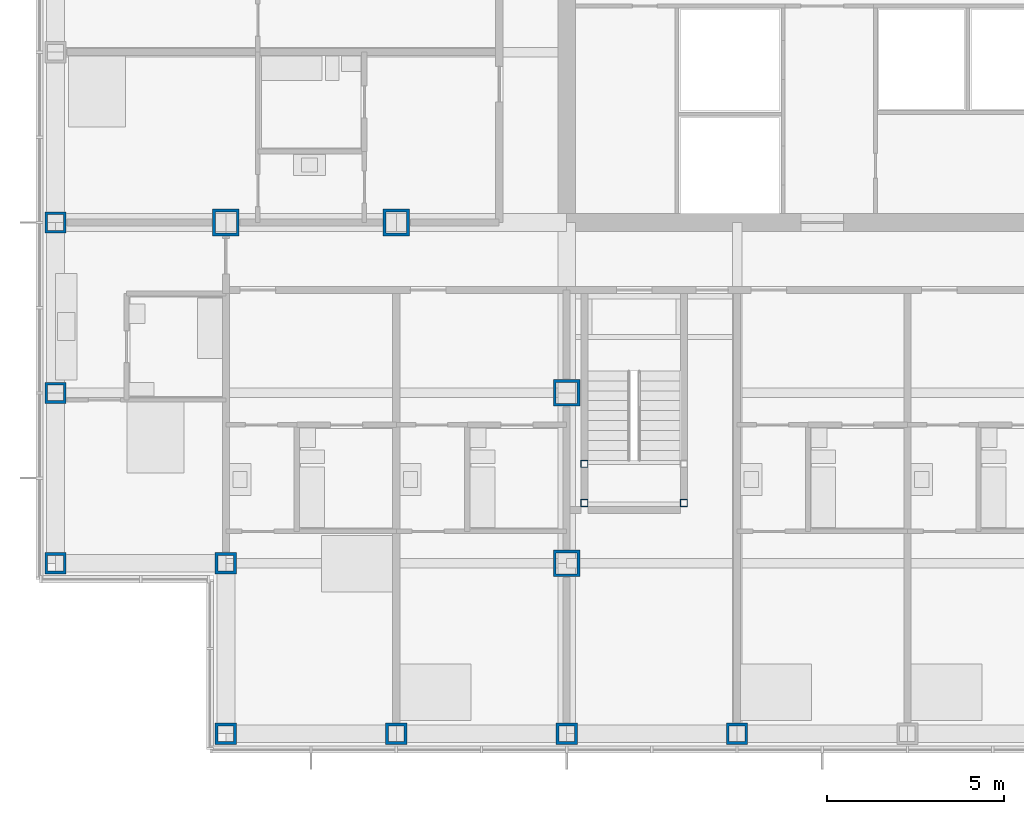
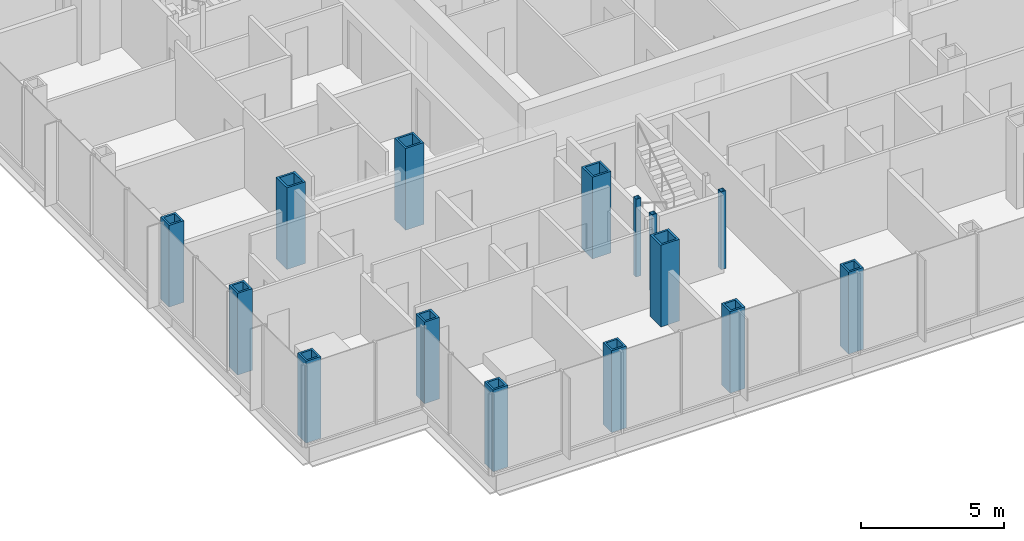
# One storey, part 1 of 22: 15 columns.
"""IFC4 building model written with IfcOpenShell, lengths in metres."""

import ifcopenshell
import ifcopenshell.guid

model = None  # the IFC model being written
_history = None  # IfcOwnerHistory: only IFC2X3 demands one
_inside = {}  # id of a spatial element -> (the spatial element, [elements in it])
_under = {}  # id of a project, library or spatial element -> (it, [spatial elements below it])
_declared = {}  # id of a project -> (the project, [libraries it declares])
_typed = {}  # id of a type object -> (the type object, [elements of that type])
_made_of = {}  # id of a material, layer set ... -> (it, [elements and type objects made of it])


def new_model(schema):
    """Start an empty IFC model of exactly this schema.

    Asked for "IFC4X3", IfcOpenShell would pick the latest addendum, in which some entities
    have other attributes; the version numbers below select the first issue.
    IFC2X3 requires an IfcOwnerHistory on every rooted entity: one is made here for all.
    """
    global model, _history
    if schema == "IFC4X3":
        model = ifcopenshell.file(schema_version=(4, 3, 0, 0))
    else:
        model = ifcopenshell.file(schema=schema)
    _inside.clear()
    _under.clear()
    _declared.clear()
    _typed.clear()
    _made_of.clear()
    _history = None
    if model.schema == "IFC2X3":
        org = make("IfcOrganization", Name="unknown")
        user = make(
            "IfcPersonAndOrganization",
            ThePerson=make("IfcPerson", FamilyName="unknown"),
            TheOrganization=org,
        )
        app = make(
            "IfcApplication",
            ApplicationDeveloper=org,
            Version="unknown",
            ApplicationFullName="unknown",
            ApplicationIdentifier="unknown",
        )
        _history = make(
            "IfcOwnerHistory",
            OwningUser=user,
            OwningApplication=app,
            ChangeAction="ADDED",
            CreationDate=0,
        )
    return model


def make(cls, **values):
    """One entity of the class cls with the attributes given. An attribute that is None is left unset."""
    return model.create_entity(
        cls, **{name: value for name, value in values.items() if value is not None}
    )


def rooted(cls, **values):
    """An entity with a GlobalId (a new one), such as an element, a storey or a relation."""
    return make(cls, GlobalId=ifcopenshell.guid.new(), OwnerHistory=_history, **values)


def si_unit(unit_type, name, prefix=None):
    """IfcSIUnit, for example si_unit("LENGTHUNIT", "METRE", prefix="MILLI")."""
    return make("IfcSIUnit", UnitType=unit_type, Prefix=prefix, Name=name)


def assignment(units):
    """IfcUnitAssignment: the units of a project."""
    return None if units is None else make("IfcUnitAssignment", Units=units)


def point(xyz):
    """IfcCartesianPoint."""
    return None if xyz is None else make("IfcCartesianPoint", Coordinates=xyz)


def direction(xyz):
    """IfcDirection."""
    return None if xyz is None else make("IfcDirection", DirectionRatios=xyz)


def frame(location, z_axis=None, x_axis=None):
    """IfcAxis2Placement3D, a coordinate frame: its origin and axes. An axis left out is left unset."""
    return make(
        "IfcAxis2Placement3D",
        Location=point(location),
        Axis=direction(z_axis),
        RefDirection=direction(x_axis),
    )


def frame_2d(location, x_axis=None):
    """IfcAxis2Placement2D, a coordinate frame in the plane: its origin and x axis."""
    return make(
        "IfcAxis2Placement2D", Location=point(location), RefDirection=direction(x_axis)
    )


def origin():
    """The frame at (0, 0, 0) with its axes left unset."""
    return frame((0.0, 0.0, 0.0))


def origin_2d():
    """The frame at (0, 0) in the plane with its x axis left unset."""
    return frame_2d((0.0, 0.0))


def place(relative_to, where):
    """IfcLocalPlacement: puts the frame where relative to a parent placement (None: the world)."""
    return make(
        "IfcLocalPlacement", PlacementRelTo=relative_to, RelativePlacement=where
    )


def context(
    kind, dimensions, precision=None, world=None, true_north=None, identifier=None
):
    """IfcGeometricRepresentationContext, for example the 3D "Model" context."""
    return make(
        "IfcGeometricRepresentationContext",
        ContextIdentifier=identifier,
        ContextType=kind,
        CoordinateSpaceDimension=dimensions,
        Precision=precision,
        WorldCoordinateSystem=world,
        TrueNorth=true_north,
    )


def subcontext(parent, identifier, kind, view, scale=None):
    """IfcGeometricRepresentationSubContext, for example "Body" below "Model"."""
    return make(
        "IfcGeometricRepresentationSubContext",
        ContextIdentifier=identifier,
        ContextType=kind,
        ParentContext=parent,
        TargetScale=scale,
        TargetView=view,
    )


def project(units=None, contexts=None):
    """IfcProject with its units and contexts."""
    return rooted(
        "IfcProject",
        Name="project",
        RepresentationContexts=contexts,
        UnitsInContext=assignment(units),
    )


def spatial(cls, under=None, at=None, **own):
    """A site, building, storey or space (cls), placed at a placement, below another one or the project."""
    s = rooted(cls, ObjectPlacement=at, **own)
    if under is not None:
        _under.setdefault(under.id(), (under, []))[1].append(s)
    return s


def profile(cls, at=None, kind="AREA", **sizes):
    """A parametric profile (cls). Its sizes go by their IFC names, for example OverallWidth=200.0."""
    return make(cls, ProfileType=kind, Position=at, **sizes)


def hollow_rectangle(**sizes):
    """IfcRectangleHollowProfileDef."""
    return profile("IfcRectangleHollowProfileDef", **sizes)


def extrude(swept, where, along, depth):
    """IfcExtrudedAreaSolid: the profile swept, set in the frame where, extruded along a direction by depth."""
    return make(
        "IfcExtrudedAreaSolid",
        SweptArea=swept,
        Position=where,
        ExtrudedDirection=direction(along),
        Depth=depth,
    )


def shape(context_of_items, identifier, shape_type, items):
    """IfcShapeRepresentation: the items that make up one representation, for example the "Body"."""
    return make(
        "IfcShapeRepresentation",
        ContextOfItems=context_of_items,
        RepresentationIdentifier=identifier,
        RepresentationType=shape_type,
        Items=items,
    )


def material(Name=None, Category=None):
    """IfcMaterial."""
    return make("IfcMaterial", Name=Name, Category=Category)


def material_profile(
    of_material, cross_section, Name=None, Category=None, Priority=None
):
    """IfcMaterialProfile: a cross section and its material."""
    return make(
        "IfcMaterialProfile",
        Name=Name,
        Material=of_material,
        Profile=cross_section,
        Priority=Priority,
        Category=Category,
    )


def profile_set(profiles, Name=None, composite=None):
    """IfcMaterialProfileSet."""
    return make(
        "IfcMaterialProfileSet",
        Name=Name,
        MaterialProfiles=profiles,
        CompositeProfile=composite,
    )


def made_of(thing, what):
    """Note that an element or type object is made of a material, layer set ...; save() writes the relation."""
    if what is not None:
        _made_of.setdefault(what.id(), (what, []))[1].append(thing)
    return thing


def type_object(cls, material=None, **own):
    """A type object (cls), such as IfcWallType, which elements share."""
    return made_of(rooted(cls, **own), material)


def element(
    cls,
    number,
    at=None,
    inside=None,
    cuts=None,
    type_object=None,
    material=None,
    context=None,
    identifier="Body",
    shape_type=None,
    held_by="IfcProductDefinitionShape",
    body=None,
    shapes=None,
    **own,
):
    """One element of the class cls, such as IfcWall. Its Tag is "e" and its number.

    at: its placement. inside: the storey or other place that contains it. cuts: it is an
    opening in that element (IfcRelVoidsElement). A single representation is given by context,
    identifier, shape_type and body (its items); several are given by shapes. held_by: the class
    of the entity that holds the representations. save() writes the other relations.
    """
    e = rooted(cls, Tag="e%d" % number, ObjectPlacement=at, **own)
    if body is not None:
        shapes = [shape(context, identifier, shape_type, body)]
    if shapes is not None:
        e.Representation = make(held_by, Representations=shapes)
    if inside is not None:
        _inside.setdefault(inside.id(), (inside, []))[1].append(e)
    if cuts is not None:
        rooted(
            "IfcRelVoidsElement", RelatingBuildingElement=cuts, RelatedOpeningElement=e
        )
    if type_object is not None:
        _typed.setdefault(type_object.id(), (type_object, []))[1].append(e)
    return made_of(e, material)


def aggregate(whole, parts):
    """IfcRelAggregates: a whole, such as a stair, and the parts it consists of."""
    return rooted("IfcRelAggregates", RelatingObject=whole, RelatedObjects=parts)


def save(model, path):
    """Write the relations noted so far, then the file.

    IfcRelAggregates (storeys below a building ...), IfcRelContainedInSpatialStructure (elements
    in a storey), IfcRelDefinesByType, IfcRelAssociatesMaterial and IfcRelDeclares: one each for
    every whole, place, type object, material and project.
    """
    for whole, parts in _under.values():
        aggregate(whole, parts)
    for where, things in _inside.values():
        rooted(
            "IfcRelContainedInSpatialStructure",
            RelatedElements=things,
            RelatingStructure=where,
        )
    for kind, things in _typed.values():
        rooted("IfcRelDefinesByType", RelatedObjects=things, RelatingType=kind)
    for what, things in _made_of.values():
        rooted("IfcRelAssociatesMaterial", RelatedObjects=things, RelatingMaterial=what)
    for by, libraries in _declared.values():
        rooted("IfcRelDeclares", RelatingContext=by, RelatedDefinitions=libraries)
    model.write(path)


model = new_model("IFC4")

# Units and contexts
model_context = context("Model", 3, precision=1e-05, world=origin(), true_north=direction((0.0, 1.0)))
body_context = subcontext(model_context, "Body", "Model", "MODEL_VIEW")
ifc_project = project(units=[si_unit("LENGTHUNIT", "METRE"), si_unit("AREAUNIT", "SQUARE_METRE"), si_unit("VOLUMEUNIT", "CUBIC_METRE"), si_unit("PLANEANGLEUNIT", "RADIAN"), si_unit("MASSUNIT", "GRAM", prefix="KILO")], contexts=[model_context])

# Site, building, storey
site_placement = place(None, origin())
site = spatial("IfcSite", under=ifc_project, at=site_placement, CompositionType="ELEMENT")
building_placement = place(site_placement, origin())
building = spatial("IfcBuilding", under=site, at=building_placement, Name="Kvirike Care Tower", CompositionType="ELEMENT")
storey_placement = place(building_placement, frame((0.0, 0.0, 69.0)))
storey = spatial("IfcBuildingStorey", under=building, at=storey_placement, Name="L18", CompositionType="ELEMENT", Elevation=69.0)

# Columns
ifc_material_1 = material(Name="Steel S460", Category="steel")
ifc_material_profile_1 = material_profile(ifc_material_1, hollow_rectangle(XDim=0.60009765625, YDim=0.60009765625, WallThickness=0.080078125, at=origin_2d()), Name="BX 600x600x80")
ifc_profile_set_1 = profile_set([ifc_material_profile_1], Name="Steel S460")
column_type_1 = type_object("IfcColumnType", Name="COLUMN BX 600x600x80", PredefinedType="COLUMN", material=ifc_profile_set_1)
for number, where, z_axis, x_axis, name in (
    (1, (0.0, 19.199951171875, 0.0), (0.0, 0.0, 1.0), (0.0, 1.0, 0.0), "Column E3 L18"),
    (2, (0.0, 24.0, 0.0), (0.0, 0.0, 1.0), (1.0, 0.0, 0.0), "Column F3 L18"),
    (3, (0.0, 28.800048828125, 0.0), (0.0, 0.0, 1.0), (0.0, 1.0, 0.0), "Column G3 L18"),
    (4, (4.800048828125, 14.39990234375, 0.0), (0.0, 0.0, 1.0), (0.0, 1.0, 0.0), "Column D4 L18"),
    (5, (4.800048828125, 19.199951171875, 0.0), (0.0, 0.0, 1.0), (0.0, 1.0, 0.0), "Column E4 L18"),
    (6, (9.60009765625, 14.39990234375, 0.0), (0.0, 0.0, 1.0), (0.0, 1.0, 0.0), "Column D5 L18"),
    (7, (14.39990234375, 14.39990234375, 0.0), (0.0, 0.0, 1.0), (0.0, 1.0, 0.0), "Column D6 L18"),
    (8, (19.199951171875, 14.39990234375, 0.0), (0.0, 0.0, 1.0), (0.0, 1.0, 0.0), "Column D7 L18"),
):
    element("IfcColumn", number, at=place(storey_placement, frame(where, z_axis=z_axis, x_axis=x_axis)), inside=storey, type_object=column_type_1, Name=name, PredefinedType="COLUMN", context=body_context, shape_type="SweptSolid", body=[
        extrude(hollow_rectangle(XDim=0.60009765625, YDim=0.60009765625, WallThickness=0.080078125, at=origin_2d()), origin(), (0.0, 0.0, 1.0), 3.5),
    ])
ifc_material_2 = material(Name="Steel S460", Category="steel")
ifc_material_profile_2 = material_profile(ifc_material_2, hollow_rectangle(XDim=0.75, YDim=0.75, WallThickness=0.080078125, at=origin_2d()), Name="BX 750x750x80")
ifc_profile_set_2 = profile_set([ifc_material_profile_2], Name="Steel S460")
column_type_2 = type_object("IfcColumnType", Name="COLUMN BX 750x750x80", PredefinedType="COLUMN", material=ifc_profile_set_2)
for number, where, z_axis, x_axis, name in (
    (9, (4.800048828125, 28.800048828125, 0.0), (0.0, 0.0, 1.0), (0.0, 1.0, 0.0), "Column G4 L18"),
    (10, (9.60009765625, 28.800048828125, 0.0), (0.0, 0.0, 1.0), (0.0, 1.0, 0.0), "Column G5 L18"),
    (11, (14.39990234375, 19.199951171875, 0.0), (0.0, 0.0, 1.0), (1.0, 0.0, 0.0), "Column E6 L18"),
    (12, (14.39990234375, 24.0, 0.0), (0.0, 0.0, 1.0), (1.0, 0.0, 0.0), "Column F6 L18"),
):
    element("IfcColumn", number, at=place(storey_placement, frame(where, z_axis=z_axis, x_axis=x_axis)), inside=storey, type_object=column_type_2, Name=name, PredefinedType="COLUMN", context=body_context, shape_type="SweptSolid", body=[
        extrude(hollow_rectangle(XDim=0.75, YDim=0.75, WallThickness=0.080078125, at=origin_2d()), origin(), (0.0, 0.0, 1.0), 3.5),
    ])
ifc_material_3 = material(Name="Steel S460", Category="steel")
ifc_material_profile_3 = material_profile(ifc_material_3, hollow_rectangle(XDim=0.199951171875, YDim=0.199951171875, WallThickness=0.008056640625, at=origin_2d()), Name="SHS 200x200x8")
ifc_profile_set_3 = profile_set([ifc_material_profile_3], Name="Steel S460")
column_type_3 = type_object("IfcColumnType", Name="STAIR POST SHS 200x200x8", PredefinedType="COLUMN", material=ifc_profile_set_3)
for number, where, z_axis, x_axis, name in (
    (13, (14.89990234375, 20.89990234375, 0.0), (0.0, 0.0, 1.0), (1.0, 0.0, 0.0), "Stair 5 post 1 L18"),
    (14, (17.699951171875, 20.89990234375, 0.0), (0.0, 0.0, 1.0), (1.0, 0.0, 0.0), "Stair 5 post 2 L18"),
    (15, (14.89990234375, 22.0, 0.0), (0.0, 0.0, 1.0), (1.0, 0.0, 0.0), "Stair 5 post 3 L18"),
):
    element("IfcColumn", number, at=place(storey_placement, frame(where, z_axis=z_axis, x_axis=x_axis)), inside=storey, type_object=column_type_3, Name=name, PredefinedType="COLUMN", context=body_context, shape_type="SweptSolid", body=[
        extrude(hollow_rectangle(XDim=0.199951171875, YDim=0.199951171875, WallThickness=0.008056640625, at=origin_2d()), origin(), (0.0, 0.0, 1.0), 3.330078125),
    ])

save(model, "model.ifc")
